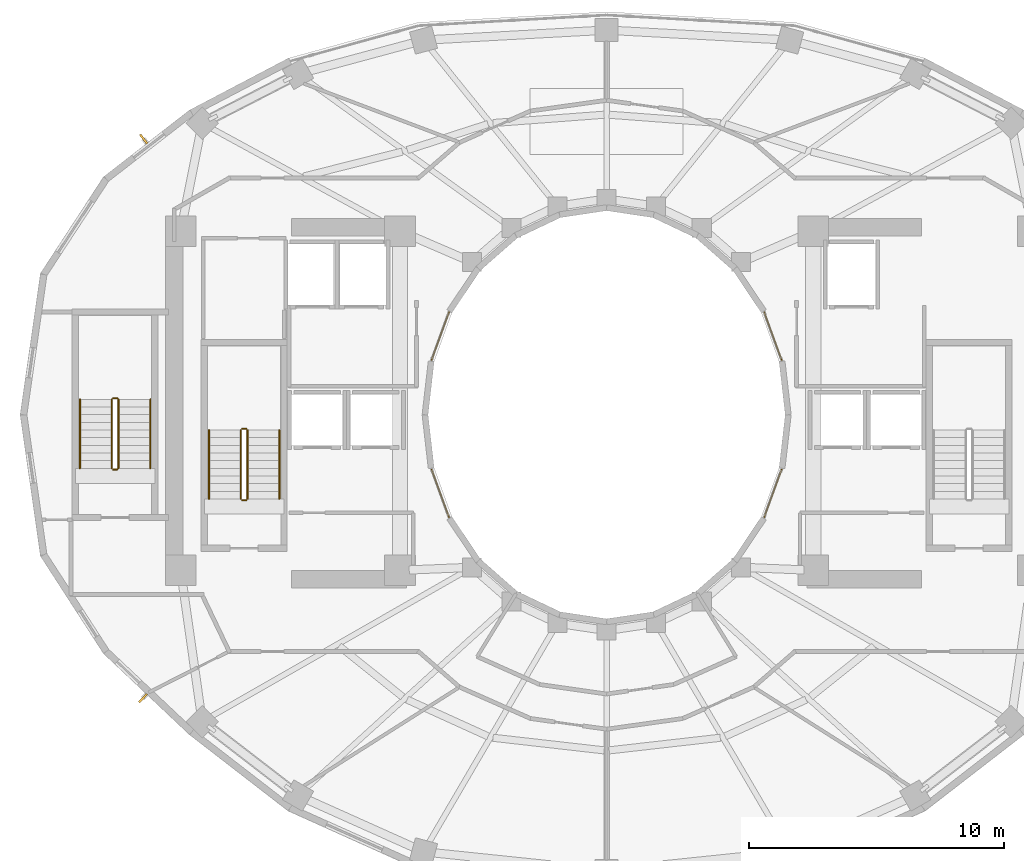
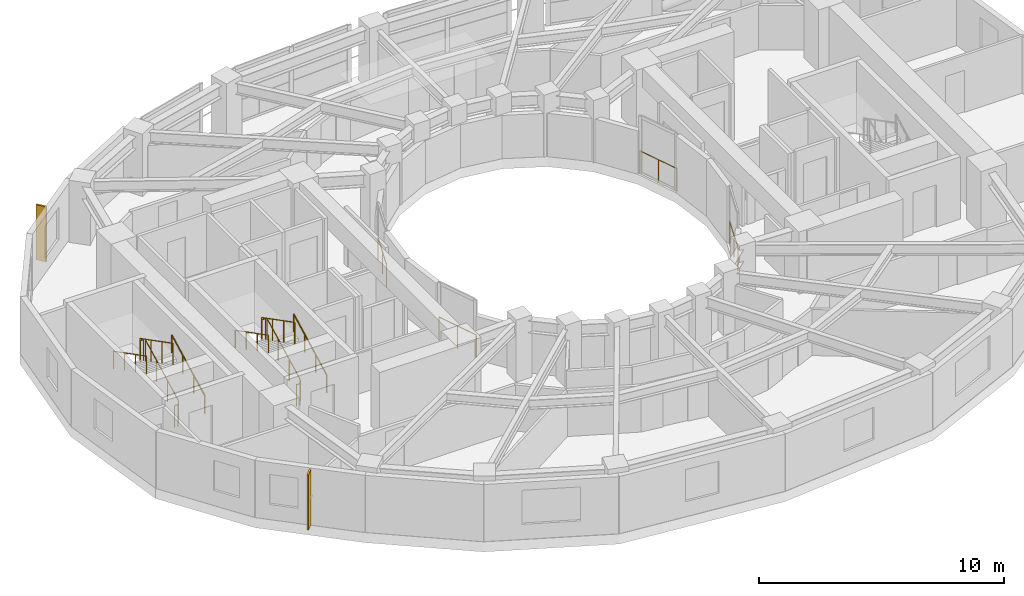
# One storey, part 18 of 20: 16 railings, 2 shading devices.
"""IFC4 building model written with IfcOpenShell, lengths in metres."""

from ifc_helpers import new_model, si_unit, direction, frame, origin, origin_2d, place, context, subcontext, project, spatial, rectangle, circle, extrude, material, layer, layer_set, type_object, element, save


model = new_model("IFC4")

# Units and contexts
model_context = context("Model", 3, precision=1e-05, world=origin(), true_north=direction((0.0, 1.0)))
body_context = subcontext(model_context, "Body", "Model", "MODEL_VIEW")
ifc_project = project(units=[si_unit("LENGTHUNIT", "METRE"), si_unit("AREAUNIT", "SQUARE_METRE"), si_unit("VOLUMEUNIT", "CUBIC_METRE"), si_unit("PLANEANGLEUNIT", "RADIAN"), si_unit("MASSUNIT", "GRAM", prefix="KILO")], contexts=[model_context])

# Site, building, storey
site_placement = place(None, origin())
site = spatial("IfcSite", under=ifc_project, at=site_placement, CompositionType="ELEMENT")
building_placement = place(site_placement, origin())
building = spatial("IfcBuilding", under=site, at=building_placement, Name="Solvane Sanctuary Tower", CompositionType="ELEMENT")
storey_placement = place(building_placement, frame((0.0, 0.0, 137.39990234375)))
storey = spatial("IfcBuildingStorey", under=building, at=storey_placement, Name="L41", CompositionType="ELEMENT", Elevation=137.39990234375)

# Railings
ifc_material_1 = material(Name="Architectural Stainless Steel 316", Category="steel")
railing_type_1 = type_object("IfcRailingType", Name="Railing GR-BALC-1150", PredefinedType="BALUSTRADE", material=ifc_material_1)
railing_1_placement = place(storey_placement, frame((17.919921875, 19.699951171875, 0.155029296875)))
element("IfcRailing", 1, at=railing_1_placement, inside=storey, type_object=railing_type_1, Name="L41 ST-1 stair guard 1", PredefinedType="BALUSTRADE", context=body_context, shape_type="SweptSolid", body=[
    extrude(circle(Radius=0.02392578125, at=origin_2d()), frame((0.0, 0.0, 1.076171875), z_axis=(0.0, 0.888419900624, 0.459031676658), x_axis=(-1.0, 0.0, 0.0)), (0.0, 0.0, 1.0), 3.0390625),
    extrude(circle(Radius=0.02099609375, at=origin_2d()), origin(), (0.0, 0.0, 1.0), 1.052001953125),
    extrude(circle(Radius=0.02099609375, at=origin_2d()), frame((0.0, 0.89990234375, 0.465087890625)), (0.0, 0.0, 1.0), 1.052001953125),
    extrude(circle(Radius=0.02099609375, at=origin_2d()), frame((0.0, 1.800048828125, 0.929931640625)), (0.0, 0.0, 1.0), 1.052001953125),
    extrude(circle(Radius=0.02099609375, at=origin_2d()), frame((0.0, 2.699951171875, 1.39501953125)), (0.0, 0.0, 1.0), 1.052001953125),
])
railing_2_placement = place(storey_placement, frame((17.8701171875, 22.449951171875, 1.550048828125)))
element("IfcRailing", 2, at=railing_2_placement, inside=storey, type_object=railing_type_1, Name="L41 ST-1 stair guard 2", PredefinedType="BALUSTRADE", context=body_context, shape_type="SweptSolid", body=[
    extrude(circle(Radius=0.02392578125, at=origin_2d()), frame((0.0, 0.0, 1.076171875), z_axis=(-1.0, 0.0, 0.0), x_axis=(0.0, -1.0, 0.0)), (0.0, 0.0, 1.0), 0.16015625),
    extrude(circle(Radius=0.02099609375, at=origin_2d()), origin(), (0.0, 0.0, 1.0), 1.052001953125),
    extrude(circle(Radius=0.02099609375, at=origin_2d()), frame((-0.16015625, 0.0, 0.0)), (0.0, 0.0, 1.0), 1.052001953125),
])
railing_3_placement = place(storey_placement, frame((17.659912109375, 22.39990234375, 1.705078125)))
element("IfcRailing", 3, at=railing_3_placement, inside=storey, type_object=railing_type_1, Name="L41 ST-1 stair guard 3", PredefinedType="BALUSTRADE", context=body_context, shape_type="SweptSolid", body=[
    extrude(circle(Radius=0.02392578125, at=origin_2d()), frame((0.0, 0.0, 1.076171875), z_axis=(0.0, -0.888419900624, 0.459031676658), x_axis=(1.0, 0.0, 0.0)), (0.0, 0.0, 1.0), 3.0390625),
    extrude(circle(Radius=0.02099609375, at=origin_2d()), origin(), (0.0, 0.0, 1.0), 1.052001953125),
    extrude(circle(Radius=0.02099609375, at=origin_2d()), frame((0.0, -0.89990234375, 0.465087890625)), (0.0, 0.0, 1.0), 1.052001953125),
    extrude(circle(Radius=0.02099609375, at=origin_2d()), frame((0.0, -1.800048828125, 0.929931640625)), (0.0, 0.0, 1.0), 1.052001953125),
    extrude(circle(Radius=0.02099609375, at=origin_2d()), frame((0.0, -2.699951171875, 1.39501953125)), (0.0, 0.0, 1.0), 1.052001953125),
])
railing_4_placement = place(storey_placement, frame((17.8701171875, 19.64990234375, 0.0)))
element("IfcRailing", 4, at=railing_4_placement, inside=storey, type_object=railing_type_1, Name="L41 ST-1 stair guard 4", PredefinedType="BALUSTRADE", context=body_context, shape_type="SweptSolid", body=[
    extrude(circle(Radius=0.02392578125, at=origin_2d()), frame((0.0, 0.0, 1.076171875), z_axis=(-1.0, 0.0, 0.0), x_axis=(0.0, -1.0, 0.0)), (0.0, 0.0, 1.0), 0.16015625),
    extrude(circle(Radius=0.02099609375, at=origin_2d()), origin(), (0.0, 0.0, 1.0), 1.052001953125),
    extrude(circle(Radius=0.02099609375, at=origin_2d()), frame((-0.16015625, 0.0, 0.0)), (0.0, 0.0, 1.0), 1.052001953125),
])
railing_5_placement = place(storey_placement, frame((12.860107421875, 20.89990234375, 0.155029296875)))
element("IfcRailing", 5, at=railing_5_placement, inside=storey, type_object=railing_type_1, Name="L41 ST-3 stair guard 1", PredefinedType="BALUSTRADE", context=body_context, shape_type="SweptSolid", body=[
    extrude(circle(Radius=0.02392578125, at=origin_2d()), frame((0.0, 0.0, 1.076171875), z_axis=(0.0, 0.888436826113, 0.458998917216), x_axis=(-1.0, 0.0, 0.0)), (0.0, 0.0, 1.0), 3.039306640625),
    extrude(circle(Radius=0.02099609375, at=origin_2d()), origin(), (0.0, 0.0, 1.0), 1.052001953125),
    extrude(circle(Radius=0.02099609375, at=origin_2d()), frame((0.0, 0.900146484375, 0.465087890625)), (0.0, 0.0, 1.0), 1.052001953125),
    extrude(circle(Radius=0.02099609375, at=origin_2d()), frame((0.0, 1.800048828125, 0.929931640625)), (0.0, 0.0, 1.0), 1.052001953125),
    extrude(circle(Radius=0.02099609375, at=origin_2d()), frame((0.0, 2.7001953125, 1.39501953125)), (0.0, 0.0, 1.0), 1.052001953125),
])
railing_6_placement = place(storey_placement, frame((12.81005859375, 23.64990234375, 1.550048828125)))
element("IfcRailing", 6, at=railing_6_placement, inside=storey, type_object=railing_type_1, Name="L41 ST-3 stair guard 2", PredefinedType="BALUSTRADE", context=body_context, shape_type="SweptSolid", body=[
    extrude(circle(Radius=0.02392578125, at=origin_2d()), frame((0.0, 0.0, 1.076171875), z_axis=(-1.0, 0.0, 0.0), x_axis=(0.0, -1.0, 0.0)), (0.0, 0.0, 1.0), 0.16015625),
    extrude(circle(Radius=0.02099609375, at=origin_2d()), origin(), (0.0, 0.0, 1.0), 1.052001953125),
    extrude(circle(Radius=0.02099609375, at=origin_2d()), frame((-0.16015625, 0.0, 0.0)), (0.0, 0.0, 1.0), 1.052001953125),
])
railing_7_placement = place(storey_placement, frame((12.60009765625, 23.60009765625, 1.705078125)))
element("IfcRailing", 7, at=railing_7_placement, inside=storey, type_object=railing_type_1, Name="L41 ST-3 stair guard 3", PredefinedType="BALUSTRADE", context=body_context, shape_type="SweptSolid", body=[
    extrude(circle(Radius=0.02392578125, at=origin_2d()), frame((0.0, 0.0, 1.076171875), z_axis=(0.0, -0.888436826113, 0.458998917216), x_axis=(1.0, 0.0, 0.0)), (0.0, 0.0, 1.0), 3.039306640625),
    extrude(circle(Radius=0.02099609375, at=origin_2d()), origin(), (0.0, 0.0, 1.0), 1.052001953125),
    extrude(circle(Radius=0.02099609375, at=origin_2d()), frame((0.0, -0.900146484375, 0.465087890625)), (0.0, 0.0, 1.0), 1.052001953125),
    extrude(circle(Radius=0.02099609375, at=origin_2d()), frame((0.0, -1.800048828125, 0.929931640625)), (0.0, 0.0, 1.0), 1.052001953125),
    extrude(circle(Radius=0.02099609375, at=origin_2d()), frame((0.0, -2.7001953125, 1.39501953125)), (0.0, 0.0, 1.0), 1.052001953125),
])
railing_8_placement = place(storey_placement, frame((12.81005859375, 20.85009765625, 0.0)))
element("IfcRailing", 8, at=railing_8_placement, inside=storey, type_object=railing_type_1, Name="L41 ST-3 stair guard 4", PredefinedType="BALUSTRADE", context=body_context, shape_type="SweptSolid", body=[
    extrude(circle(Radius=0.02392578125, at=origin_2d()), frame((0.0, 0.0, 1.076171875), z_axis=(-1.0, 0.0, 0.0), x_axis=(0.0, -1.0, 0.0)), (0.0, 0.0, 1.0), 0.16015625),
    extrude(circle(Radius=0.02099609375, at=origin_2d()), origin(), (0.0, 0.0, 1.0), 1.052001953125),
    extrude(circle(Radius=0.02099609375, at=origin_2d()), frame((-0.16015625, 0.0, 0.0)), (0.0, 0.0, 1.0), 1.052001953125),
])
railing_type_2 = type_object("IfcRailingType", Name="Railing GR-WELL-1150", PredefinedType="GUARDRAIL", material=ifc_material_1)
railing_9_placement = place(storey_placement, frame((38.8603515625, 25.148681640625, 0.0)))
element("IfcRailing", 9, at=railing_9_placement, inside=storey, type_object=railing_type_2, Name="L41 Light-Well Glazing Sill Guard 01", PredefinedType="GUARDRAIL", context=body_context, shape_type="SweptSolid", body=[
    extrude(circle(Radius=0.02392578125, at=origin_2d()), frame((0.0, 0.0, 1.1259765625), z_axis=(-0.341446556351, 0.939901191166, 0.0), x_axis=(-0.939901191166, -0.341446556351, 0.0)), (0.0, 0.0, 1.0), 1.9833984375),
    extrude(circle(Radius=0.02099609375, at=origin_2d()), origin(), (0.0, 0.0, 1.0), 1.101806640625),
    extrude(circle(Radius=0.02099609375, at=origin_2d()), frame((-0.338623046875, 0.93212890625, 0.0)), (0.0, 0.0, 1.0), 1.101806640625),
    extrude(circle(Radius=0.02099609375, at=origin_2d()), frame((-0.67724609375, 1.8642578125, 0.0)), (0.0, 0.0, 1.0), 1.101806640625),
])
railing_10_placement = place(storey_placement, frame((25.81689453125, 27.012939453125, 0.0)))
element("IfcRailing", 10, at=railing_10_placement, inside=storey, type_object=railing_type_2, Name="L41 Light-Well Glazing Sill Guard 10", PredefinedType="GUARDRAIL", context=body_context, shape_type="SweptSolid", body=[
    extrude(circle(Radius=0.02392578125, at=origin_2d()), frame((0.0, 0.0, 1.1259765625), z_axis=(-0.341446556351, -0.939901191166, 0.0), x_axis=(0.939901191166, -0.341446556351, 0.0)), (0.0, 0.0, 1.0), 1.9833984375),
    extrude(circle(Radius=0.02099609375, at=origin_2d()), origin(), (0.0, 0.0, 1.0), 1.101806640625),
    extrude(circle(Radius=0.02099609375, at=origin_2d()), frame((-0.338623046875, -0.93212890625, 0.0)), (0.0, 0.0, 1.0), 1.101806640625),
    extrude(circle(Radius=0.02099609375, at=origin_2d()), frame((-0.67724609375, -1.8642578125, 0.0)), (0.0, 0.0, 1.0), 1.101806640625),
])
railing_11_placement = place(storey_placement, frame((25.1396484375, 20.851318359375, 0.0)))
element("IfcRailing", 11, at=railing_11_placement, inside=storey, type_object=railing_type_2, Name="L41 Light-Well Glazing Sill Guard 13", PredefinedType="GUARDRAIL", context=body_context, shape_type="SweptSolid", body=[
    extrude(circle(Radius=0.02392578125, at=origin_2d()), frame((0.0, 0.0, 1.1259765625), z_axis=(0.341446556351, -0.939901191166, 0.0), x_axis=(0.939901191166, 0.341446556351, 0.0)), (0.0, 0.0, 1.0), 1.9833984375),
    extrude(circle(Radius=0.02099609375, at=origin_2d()), origin(), (0.0, 0.0, 1.0), 1.101806640625),
    extrude(circle(Radius=0.02099609375, at=origin_2d()), frame((0.338623046875, -0.93212890625, 0.0)), (0.0, 0.0, 1.0), 1.101806640625),
    extrude(circle(Radius=0.02099609375, at=origin_2d()), frame((0.67724609375, -1.8642578125, 0.0)), (0.0, 0.0, 1.0), 1.101806640625),
])
railing_12_placement = place(storey_placement, frame((38.18310546875, 18.987060546875, 0.0)))
element("IfcRailing", 12, at=railing_12_placement, inside=storey, type_object=railing_type_2, Name="L41 Light-Well Glazing Sill Guard 22", PredefinedType="GUARDRAIL", context=body_context, shape_type="SweptSolid", body=[
    extrude(circle(Radius=0.02392578125, at=origin_2d()), frame((0.0, 0.0, 1.1259765625), z_axis=(0.341446556351, 0.939901191166, 0.0), x_axis=(-0.939901191166, 0.341446556351, 0.0)), (0.0, 0.0, 1.0), 1.9833984375),
    extrude(circle(Radius=0.02099609375, at=origin_2d()), origin(), (0.0, 0.0, 1.0), 1.101806640625),
    extrude(circle(Radius=0.02099609375, at=origin_2d()), frame((0.338623046875, 0.93212890625, 0.0)), (0.0, 0.0, 1.0), 1.101806640625),
    extrude(circle(Radius=0.02099609375, at=origin_2d()), frame((0.67724609375, 1.8642578125, 0.0)), (0.0, 0.0, 1.0), 1.101806640625),
])
railing_type_3 = type_object("IfcRailingType", Name="Railing HR-STAIR-920", PredefinedType="HANDRAIL", material=ifc_material_1)
railing_13_placement = place(storey_placement, frame((19.169921875, 19.699951171875, 0.155029296875)))
element("IfcRailing", 13, at=railing_13_placement, inside=storey, type_object=railing_type_3, Name="L41 ST-1 stair handrail 1", PredefinedType="HANDRAIL", context=body_context, shape_type="SweptSolid", body=[
    extrude(circle(Radius=0.02392578125, at=origin_2d()), frame((0.0, 0.0, 0.8759765625), z_axis=(0.0, 0.888419900624, 0.459031676658), x_axis=(-1.0, 0.0, 0.0)), (0.0, 0.0, 1.0), 3.0390625),
    extrude(circle(Radius=0.02099609375, at=origin_2d()), origin(), (0.0, 0.0, 1.0), 0.851806640625),
    extrude(circle(Radius=0.02099609375, at=origin_2d()), frame((0.0, 0.89990234375, 0.465087890625)), (0.0, 0.0, 1.0), 0.851806640625),
    extrude(circle(Radius=0.02099609375, at=origin_2d()), frame((0.0, 1.800048828125, 0.929931640625)), (0.0, 0.0, 1.0), 0.851806640625),
    extrude(circle(Radius=0.02099609375, at=origin_2d()), frame((0.0, 2.699951171875, 1.39501953125)), (0.0, 0.0, 1.0), 0.851806640625),
])
railing_14_placement = place(storey_placement, frame((16.409912109375, 22.39990234375, 1.705078125)))
element("IfcRailing", 14, at=railing_14_placement, inside=storey, type_object=railing_type_3, Name="L41 ST-1 stair handrail 2", PredefinedType="HANDRAIL", context=body_context, shape_type="SweptSolid", body=[
    extrude(circle(Radius=0.02392578125, at=origin_2d()), frame((0.0, 0.0, 0.8759765625), z_axis=(0.0, -0.888419900624, 0.459031676658), x_axis=(1.0, 0.0, 0.0)), (0.0, 0.0, 1.0), 3.0390625),
    extrude(circle(Radius=0.02099609375, at=origin_2d()), origin(), (0.0, 0.0, 1.0), 0.851806640625),
    extrude(circle(Radius=0.02099609375, at=origin_2d()), frame((0.0, -0.89990234375, 0.465087890625)), (0.0, 0.0, 1.0), 0.851806640625),
    extrude(circle(Radius=0.02099609375, at=origin_2d()), frame((0.0, -1.800048828125, 0.929931640625)), (0.0, 0.0, 1.0), 0.851806640625),
    extrude(circle(Radius=0.02099609375, at=origin_2d()), frame((0.0, -2.699951171875, 1.39501953125)), (0.0, 0.0, 1.0), 0.851806640625),
])
railing_15_placement = place(storey_placement, frame((14.110107421875, 20.89990234375, 0.155029296875)))
element("IfcRailing", 15, at=railing_15_placement, inside=storey, type_object=railing_type_3, Name="L41 ST-3 stair handrail 1", PredefinedType="HANDRAIL", context=body_context, shape_type="SweptSolid", body=[
    extrude(circle(Radius=0.02392578125, at=origin_2d()), frame((0.0, 0.0, 0.8759765625), z_axis=(0.0, 0.888436826113, 0.458998917216), x_axis=(-1.0, 0.0, 0.0)), (0.0, 0.0, 1.0), 3.039306640625),
    extrude(circle(Radius=0.02099609375, at=origin_2d()), origin(), (0.0, 0.0, 1.0), 0.851806640625),
    extrude(circle(Radius=0.02099609375, at=origin_2d()), frame((0.0, 0.900146484375, 0.465087890625)), (0.0, 0.0, 1.0), 0.851806640625),
    extrude(circle(Radius=0.02099609375, at=origin_2d()), frame((0.0, 1.800048828125, 0.929931640625)), (0.0, 0.0, 1.0), 0.851806640625),
    extrude(circle(Radius=0.02099609375, at=origin_2d()), frame((0.0, 2.7001953125, 1.39501953125)), (0.0, 0.0, 1.0), 0.851806640625),
])
railing_16_placement = place(storey_placement, frame((11.35009765625, 23.60009765625, 1.705078125)))
element("IfcRailing", 16, at=railing_16_placement, inside=storey, type_object=railing_type_3, Name="L41 ST-3 stair handrail 2", PredefinedType="HANDRAIL", context=body_context, shape_type="SweptSolid", body=[
    extrude(circle(Radius=0.02392578125, at=origin_2d()), frame((0.0, 0.0, 0.8759765625), z_axis=(0.0, -0.888436826113, 0.458998917216), x_axis=(1.0, 0.0, 0.0)), (0.0, 0.0, 1.0), 3.039306640625),
    extrude(circle(Radius=0.02099609375, at=origin_2d()), origin(), (0.0, 0.0, 1.0), 0.851806640625),
    extrude(circle(Radius=0.02099609375, at=origin_2d()), frame((0.0, -0.900146484375, 0.465087890625)), (0.0, 0.0, 1.0), 0.851806640625),
    extrude(circle(Radius=0.02099609375, at=origin_2d()), frame((0.0, -1.800048828125, 0.929931640625)), (0.0, 0.0, 1.0), 0.851806640625),
    extrude(circle(Radius=0.02099609375, at=origin_2d()), frame((0.0, -2.7001953125, 1.39501953125)), (0.0, 0.0, 1.0), 0.851806640625),
])

# Shading devices
ifc_material_2 = material(Name="Anodised Aluminium 6063-T6", Category="aluminium")
ifc_layer = layer(ifc_material_2, 0.080078125, Name="Anodised Aluminium 6063-T6")
ifc_layer_set = layer_set([ifc_layer], Name="Anodised Aluminium 6063-T6")
shading_device_type = type_object("IfcShadingDeviceType", Name="Shading SHD-FIN", PredefinedType="USERDEFINED", material=ifc_layer_set)
for number, where, z_axis, x_axis, name in (
    (17, (13.847412109375, 33.811279296875, 0.050048828125), (0.0, 0.0, 1.0), (-0.790165709501, -0.612893262753, 0.0), "L41 Aerodynamic Vertical Fin 09"),
    (18, (13.822509765625, 11.889892578125, 0.050048828125), (0.0, 0.0, 1.0), (0.727663823405, -0.685933932757, 0.0), "L41 Aerodynamic Vertical Fin 14"),
):
    element("IfcShadingDevice", number, at=place(storey_placement, frame(where, z_axis=z_axis, x_axis=x_axis)), inside=storey, type_object=shading_device_type, Name=name, ObjectType="FIN", PredefinedType="USERDEFINED", context=body_context, shape_type="SweptSolid", body=[
        extrude(rectangle(XDim=0.080078125, YDim=0.449951171875, at=origin_2d()), origin(), (0.0, 0.0, 1.0), 2.75),
    ])

save(model, "model.ifc")
